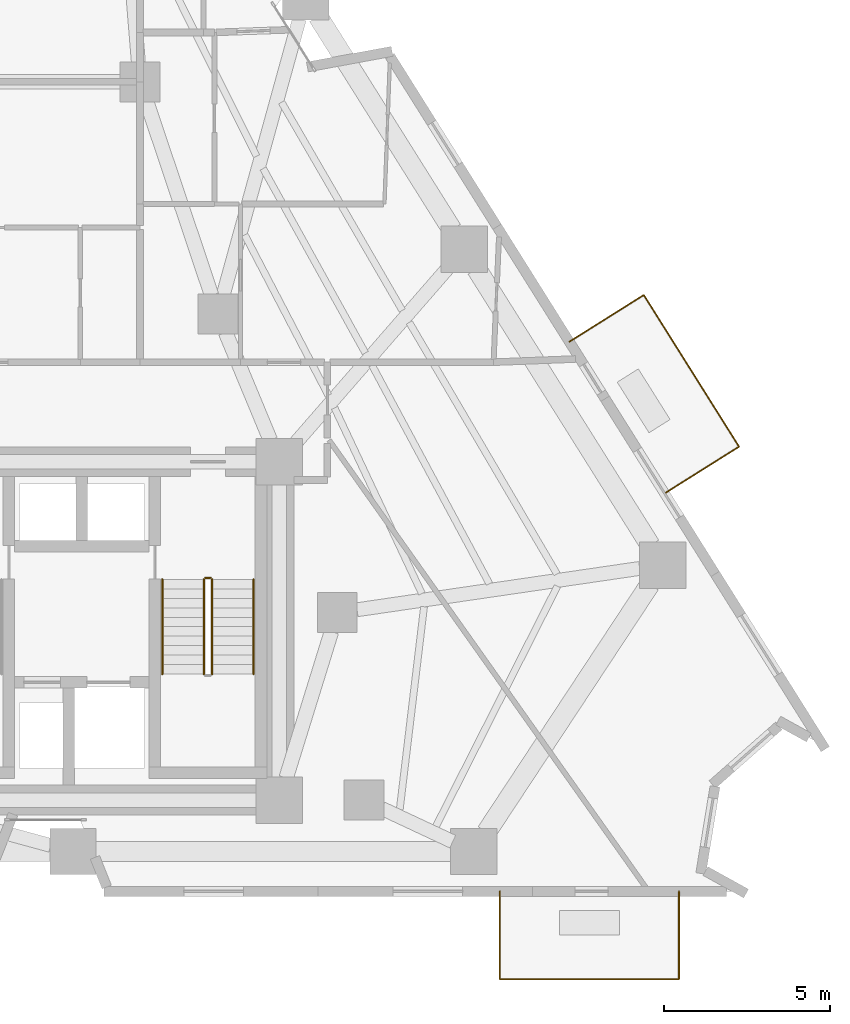
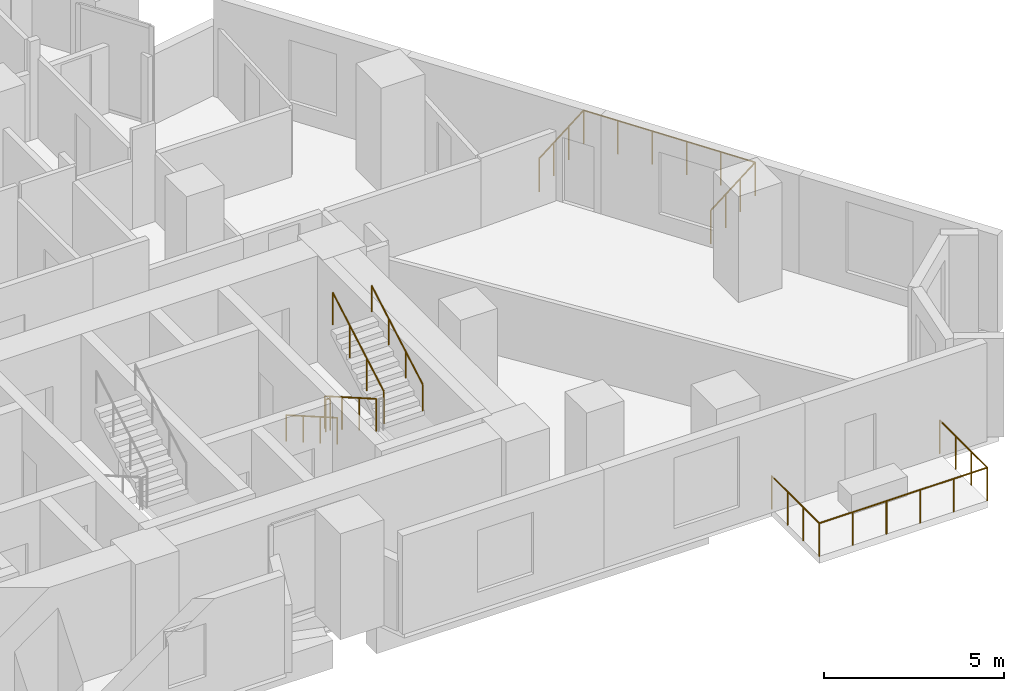
# One storey, part 12 of 13: 7 railings.
"""IFC4 building model written with IfcOpenShell, lengths in metres."""

import ifcopenshell
import ifcopenshell.guid

model = None  # the IFC model being written
_history = None  # IfcOwnerHistory: only IFC2X3 demands one
_inside = {}  # id of a spatial element -> (the spatial element, [elements in it])
_under = {}  # id of a project, library or spatial element -> (it, [spatial elements below it])
_declared = {}  # id of a project -> (the project, [libraries it declares])
_typed = {}  # id of a type object -> (the type object, [elements of that type])
_made_of = {}  # id of a material, layer set ... -> (it, [elements and type objects made of it])


def new_model(schema):
    """Start an empty IFC model of exactly this schema.

    Asked for "IFC4X3", IfcOpenShell would pick the latest addendum, in which some entities
    have other attributes; the version numbers below select the first issue.
    IFC2X3 requires an IfcOwnerHistory on every rooted entity: one is made here for all.
    """
    global model, _history
    if schema == "IFC4X3":
        model = ifcopenshell.file(schema_version=(4, 3, 0, 0))
    else:
        model = ifcopenshell.file(schema=schema)
    _inside.clear()
    _under.clear()
    _declared.clear()
    _typed.clear()
    _made_of.clear()
    _history = None
    if model.schema == "IFC2X3":
        org = make("IfcOrganization", Name="unknown")
        user = make(
            "IfcPersonAndOrganization",
            ThePerson=make("IfcPerson", FamilyName="unknown"),
            TheOrganization=org,
        )
        app = make(
            "IfcApplication",
            ApplicationDeveloper=org,
            Version="unknown",
            ApplicationFullName="unknown",
            ApplicationIdentifier="unknown",
        )
        _history = make(
            "IfcOwnerHistory",
            OwningUser=user,
            OwningApplication=app,
            ChangeAction="ADDED",
            CreationDate=0,
        )
    return model


def make(cls, **values):
    """One entity of the class cls with the attributes given. An attribute that is None is left unset."""
    return model.create_entity(
        cls, **{name: value for name, value in values.items() if value is not None}
    )


def rooted(cls, **values):
    """An entity with a GlobalId (a new one), such as an element, a storey or a relation."""
    return make(cls, GlobalId=ifcopenshell.guid.new(), OwnerHistory=_history, **values)


def si_unit(unit_type, name, prefix=None):
    """IfcSIUnit, for example si_unit("LENGTHUNIT", "METRE", prefix="MILLI")."""
    return make("IfcSIUnit", UnitType=unit_type, Prefix=prefix, Name=name)


def assignment(units):
    """IfcUnitAssignment: the units of a project."""
    return None if units is None else make("IfcUnitAssignment", Units=units)


def point(xyz):
    """IfcCartesianPoint."""
    return None if xyz is None else make("IfcCartesianPoint", Coordinates=xyz)


def direction(xyz):
    """IfcDirection."""
    return None if xyz is None else make("IfcDirection", DirectionRatios=xyz)


def frame(location, z_axis=None, x_axis=None):
    """IfcAxis2Placement3D, a coordinate frame: its origin and axes. An axis left out is left unset."""
    return make(
        "IfcAxis2Placement3D",
        Location=point(location),
        Axis=direction(z_axis),
        RefDirection=direction(x_axis),
    )


def frame_2d(location, x_axis=None):
    """IfcAxis2Placement2D, a coordinate frame in the plane: its origin and x axis."""
    return make(
        "IfcAxis2Placement2D", Location=point(location), RefDirection=direction(x_axis)
    )


def origin():
    """The frame at (0, 0, 0) with its axes left unset."""
    return frame((0.0, 0.0, 0.0))


def origin_2d():
    """The frame at (0, 0) in the plane with its x axis left unset."""
    return frame_2d((0.0, 0.0))


def place(relative_to, where):
    """IfcLocalPlacement: puts the frame where relative to a parent placement (None: the world)."""
    return make(
        "IfcLocalPlacement", PlacementRelTo=relative_to, RelativePlacement=where
    )


def context(
    kind, dimensions, precision=None, world=None, true_north=None, identifier=None
):
    """IfcGeometricRepresentationContext, for example the 3D "Model" context."""
    return make(
        "IfcGeometricRepresentationContext",
        ContextIdentifier=identifier,
        ContextType=kind,
        CoordinateSpaceDimension=dimensions,
        Precision=precision,
        WorldCoordinateSystem=world,
        TrueNorth=true_north,
    )


def subcontext(parent, identifier, kind, view, scale=None):
    """IfcGeometricRepresentationSubContext, for example "Body" below "Model"."""
    return make(
        "IfcGeometricRepresentationSubContext",
        ContextIdentifier=identifier,
        ContextType=kind,
        ParentContext=parent,
        TargetScale=scale,
        TargetView=view,
    )


def project(units=None, contexts=None):
    """IfcProject with its units and contexts."""
    return rooted(
        "IfcProject",
        Name="project",
        RepresentationContexts=contexts,
        UnitsInContext=assignment(units),
    )


def spatial(cls, under=None, at=None, **own):
    """A site, building, storey or space (cls), placed at a placement, below another one or the project."""
    s = rooted(cls, ObjectPlacement=at, **own)
    if under is not None:
        _under.setdefault(under.id(), (under, []))[1].append(s)
    return s


def profile(cls, at=None, kind="AREA", **sizes):
    """A parametric profile (cls). Its sizes go by their IFC names, for example OverallWidth=200.0."""
    return make(cls, ProfileType=kind, Position=at, **sizes)


def circle(**sizes):
    """IfcCircleProfileDef."""
    return profile("IfcCircleProfileDef", **sizes)


def extrude(swept, where, along, depth):
    """IfcExtrudedAreaSolid: the profile swept, set in the frame where, extruded along a direction by depth."""
    return make(
        "IfcExtrudedAreaSolid",
        SweptArea=swept,
        Position=where,
        ExtrudedDirection=direction(along),
        Depth=depth,
    )


def shape(context_of_items, identifier, shape_type, items):
    """IfcShapeRepresentation: the items that make up one representation, for example the "Body"."""
    return make(
        "IfcShapeRepresentation",
        ContextOfItems=context_of_items,
        RepresentationIdentifier=identifier,
        RepresentationType=shape_type,
        Items=items,
    )


def material(Name=None, Category=None):
    """IfcMaterial."""
    return make("IfcMaterial", Name=Name, Category=Category)


def made_of(thing, what):
    """Note that an element or type object is made of a material, layer set ...; save() writes the relation."""
    if what is not None:
        _made_of.setdefault(what.id(), (what, []))[1].append(thing)
    return thing


def type_object(cls, material=None, **own):
    """A type object (cls), such as IfcWallType, which elements share."""
    return made_of(rooted(cls, **own), material)


def element(
    cls,
    number,
    at=None,
    inside=None,
    cuts=None,
    type_object=None,
    material=None,
    context=None,
    identifier="Body",
    shape_type=None,
    held_by="IfcProductDefinitionShape",
    body=None,
    shapes=None,
    **own,
):
    """One element of the class cls, such as IfcWall. Its Tag is "e" and its number.

    at: its placement. inside: the storey or other place that contains it. cuts: it is an
    opening in that element (IfcRelVoidsElement). A single representation is given by context,
    identifier, shape_type and body (its items); several are given by shapes. held_by: the class
    of the entity that holds the representations. save() writes the other relations.
    """
    e = rooted(cls, Tag="e%d" % number, ObjectPlacement=at, **own)
    if body is not None:
        shapes = [shape(context, identifier, shape_type, body)]
    if shapes is not None:
        e.Representation = make(held_by, Representations=shapes)
    if inside is not None:
        _inside.setdefault(inside.id(), (inside, []))[1].append(e)
    if cuts is not None:
        rooted(
            "IfcRelVoidsElement", RelatingBuildingElement=cuts, RelatedOpeningElement=e
        )
    if type_object is not None:
        _typed.setdefault(type_object.id(), (type_object, []))[1].append(e)
    return made_of(e, material)


def aggregate(whole, parts):
    """IfcRelAggregates: a whole, such as a stair, and the parts it consists of."""
    return rooted("IfcRelAggregates", RelatingObject=whole, RelatedObjects=parts)


def save(model, path):
    """Write the relations noted so far, then the file.

    IfcRelAggregates (storeys below a building ...), IfcRelContainedInSpatialStructure (elements
    in a storey), IfcRelDefinesByType, IfcRelAssociatesMaterial and IfcRelDeclares: one each for
    every whole, place, type object, material and project.
    """
    for whole, parts in _under.values():
        aggregate(whole, parts)
    for where, things in _inside.values():
        rooted(
            "IfcRelContainedInSpatialStructure",
            RelatedElements=things,
            RelatingStructure=where,
        )
    for kind, things in _typed.values():
        rooted("IfcRelDefinesByType", RelatedObjects=things, RelatingType=kind)
    for what, things in _made_of.values():
        rooted("IfcRelAssociatesMaterial", RelatedObjects=things, RelatingMaterial=what)
    for by, libraries in _declared.values():
        rooted("IfcRelDeclares", RelatingContext=by, RelatedDefinitions=libraries)
    model.write(path)


model = new_model("IFC4")

# Units and contexts
model_context = context("Model", 3, precision=1e-05, world=origin(), true_north=direction((0.0, 1.0)))
body_context = subcontext(model_context, "Body", "Model", "MODEL_VIEW")
ifc_project = project(units=[si_unit("LENGTHUNIT", "METRE"), si_unit("AREAUNIT", "SQUARE_METRE"), si_unit("VOLUMEUNIT", "CUBIC_METRE"), si_unit("PLANEANGLEUNIT", "RADIAN"), si_unit("MASSUNIT", "GRAM", prefix="KILO")], contexts=[model_context])

# Site, building, storey
site_placement = place(None, origin())
site = spatial("IfcSite", under=ifc_project, at=site_placement, CompositionType="ELEMENT")
building_placement = place(site_placement, origin())
building = spatial("IfcBuilding", under=site, at=building_placement, Name="Almagre Mirador Tower", CompositionType="ELEMENT")
storey_placement = place(building_placement, frame((0.0, 0.0, 57.0)))
storey = spatial("IfcBuildingStorey", under=building, at=storey_placement, Name="L13", CompositionType="ELEMENT", Elevation=57.0)

# Railings
ifc_material_1 = material(Name="Black anodized aluminium", Category="aluminium")
railing_type_1 = type_object("IfcRailingType", Name="RLG-BAL-1150", PredefinedType="BALUSTRADE", material=ifc_material_1)
railing_1_placement = place(storey_placement, frame((53.699951171875, 1.800048828125, 0.0)))
element("IfcRailing", 1, at=railing_1_placement, inside=storey, type_object=railing_type_1, Name="L13 south balcony balustrade 1", PredefinedType="BALUSTRADE", context=body_context, shape_type="SweptSolid", body=[
    extrude(circle(Radius=0.02392578125, at=origin_2d()), frame((0.0, 0.0, 1.1259765625), z_axis=(0.0, -1.0, 0.0), x_axis=(1.0, 0.0, 0.0)), (0.0, 0.0, 1.0), 2.650146484375),
    extrude(circle(Radius=0.02392578125, at=origin_2d()), frame((0.0, -2.650146484375, 1.1259765625), z_axis=(1.0, 0.0, 0.0), x_axis=(0.0, 1.0, 0.0)), (0.0, 0.0, 1.0), 5.400146484375),
    extrude(circle(Radius=0.02392578125, at=origin_2d()), frame((5.400146484375, -2.650146484375, 1.1259765625), z_axis=(0.0, 1.0, 0.0), x_axis=(-1.0, 0.0, 0.0)), (0.0, 0.0, 1.0), 2.650146484375),
    extrude(circle(Radius=0.02099609375, at=origin_2d()), origin(), (0.0, 0.0, 1.0), 1.101806640625),
    extrude(circle(Radius=0.02099609375, at=origin_2d()), frame((0.0, -0.88330078125, 0.0)), (0.0, 0.0, 1.0), 1.101806640625),
    extrude(circle(Radius=0.02099609375, at=origin_2d()), frame((0.0, -1.766845703125, 0.0)), (0.0, 0.0, 1.0), 1.101806640625),
    extrude(circle(Radius=0.02099609375, at=origin_2d()), frame((0.0, -2.650146484375, 0.0)), (0.0, 0.0, 1.0), 1.101806640625),
    extrude(circle(Radius=0.02099609375, at=origin_2d()), frame((1.080078125, -2.650146484375, 0.0)), (0.0, 0.0, 1.0), 1.101806640625),
    extrude(circle(Radius=0.02099609375, at=origin_2d()), frame((2.16015625, -2.650146484375, 0.0)), (0.0, 0.0, 1.0), 1.101806640625),
    extrude(circle(Radius=0.02099609375, at=origin_2d()), frame((3.239990234375, -2.650146484375, 0.0)), (0.0, 0.0, 1.0), 1.101806640625),
    extrude(circle(Radius=0.02099609375, at=origin_2d()), frame((4.320068359375, -2.650146484375, 0.0)), (0.0, 0.0, 1.0), 1.101806640625),
    extrude(circle(Radius=0.02099609375, at=origin_2d()), frame((5.400146484375, -2.650146484375, 0.0)), (0.0, 0.0, 1.0), 1.101806640625),
    extrude(circle(Radius=0.02099609375, at=origin_2d()), frame((5.400146484375, -1.766845703125, 0.0)), (0.0, 0.0, 1.0), 1.101806640625),
    extrude(circle(Radius=0.02099609375, at=origin_2d()), frame((5.400146484375, -0.88330078125, 0.0)), (0.0, 0.0, 1.0), 1.101806640625),
    extrude(circle(Radius=0.02099609375, at=origin_2d()), frame((5.400146484375, 0.0, 0.0)), (0.0, 0.0, 1.0), 1.101806640625),
])
railing_2_placement = place(storey_placement, frame((58.666015625, 13.7939453125, 0.0)))
element("IfcRailing", 2, at=railing_2_placement, inside=storey, type_object=railing_type_1, Name="L13 east balcony balustrade 2", PredefinedType="BALUSTRADE", context=body_context, shape_type="SweptSolid", body=[
    extrude(circle(Radius=0.02392578125, at=origin_2d()), frame((0.0, 0.0, 1.1259765625), z_axis=(0.846893849006, 0.531761984835, 0.0), x_axis=(-0.531761984835, 0.846893849006, 0.0)), (0.0, 0.0, 1.0), 2.649658203125),
    extrude(circle(Radius=0.02392578125, at=origin_2d()), frame((2.243896484375, 1.408935546875, 1.1259765625), z_axis=(-0.531822427287, 0.846855894373, 0.0), x_axis=(-0.846855894373, -0.531822427287, 0.0)), (0.0, 0.0, 1.0), 5.39990234375),
    extrude(circle(Radius=0.02392578125, at=origin_2d()), frame((-0.6279296875, 5.98193359375, 1.1259765625), z_axis=(-0.846753927237, -0.531984761727, 0.0), x_axis=(0.531984761727, -0.846753927237, 0.0)), (0.0, 0.0, 1.0), 2.650390625),
    extrude(circle(Radius=0.02099609375, at=origin_2d()), origin(), (0.0, 0.0, 1.0), 1.101806640625),
    extrude(circle(Radius=0.02099609375, at=origin_2d()), frame((0.748046875, 0.4697265625, 0.0)), (0.0, 0.0, 1.0), 1.101806640625),
    extrude(circle(Radius=0.02099609375, at=origin_2d()), frame((1.495849609375, 0.939208984375, 0.0)), (0.0, 0.0, 1.0), 1.101806640625),
    extrude(circle(Radius=0.02099609375, at=origin_2d()), frame((2.243896484375, 1.408935546875, 0.0)), (0.0, 0.0, 1.0), 1.101806640625),
    extrude(circle(Radius=0.02099609375, at=origin_2d()), frame((1.66943359375, 2.323486328125, 0.0)), (0.0, 0.0, 1.0), 1.101806640625),
    extrude(circle(Radius=0.02099609375, at=origin_2d()), frame((1.09521484375, 3.238037109375, 0.0)), (0.0, 0.0, 1.0), 1.101806640625),
    extrude(circle(Radius=0.02099609375, at=origin_2d()), frame((0.520751953125, 4.15283203125, 0.0)), (0.0, 0.0, 1.0), 1.101806640625),
    extrude(circle(Radius=0.02099609375, at=origin_2d()), frame((-0.053466796875, 5.0673828125, 0.0)), (0.0, 0.0, 1.0), 1.101806640625),
    extrude(circle(Radius=0.02099609375, at=origin_2d()), frame((-0.6279296875, 5.98193359375, 0.0)), (0.0, 0.0, 1.0), 1.101806640625),
    extrude(circle(Radius=0.02099609375, at=origin_2d()), frame((-1.3759765625, 5.511962890625, 0.0)), (0.0, 0.0, 1.0), 1.101806640625),
    extrude(circle(Radius=0.02099609375, at=origin_2d()), frame((-2.1240234375, 5.0419921875, 0.0)), (0.0, 0.0, 1.0), 1.101806640625),
    extrude(circle(Radius=0.02099609375, at=origin_2d()), frame((-2.8720703125, 4.572021484375, 0.0)), (0.0, 0.0, 1.0), 1.101806640625),
])
ifc_material_2 = material(Name="Painted galvanized steel", Category="steel")
railing_type_2 = type_object("IfcRailingType", Name="RLG-GRD-1100", PredefinedType="GUARDRAIL", material=ifc_material_2)
railing_3_placement = place(storey_placement, frame((44.77490234375, 11.199951171875, 0.16357421875)))
element("IfcRailing", 3, at=railing_3_placement, inside=storey, type_object=railing_type_2, Name="L13 ST-3 stair guard 1", PredefinedType="GUARDRAIL", context=body_context, shape_type="SweptSolid", body=[
    extrude(circle(Radius=0.02392578125, at=origin_2d()), frame((0.0, 0.0, 1.09619140625), z_axis=(0.0, -0.867194282975, 0.497969954491), x_axis=(1.0, 0.0, 0.0)), (0.0, 0.0, 1.0), 3.286376953125),
    extrude(circle(Radius=0.02099609375, at=origin_2d()), origin(), (0.0, 0.0, 1.0), 1.072021484375),
    extrude(circle(Radius=0.02099609375, at=origin_2d()), frame((0.0, -0.949951171875, 0.54541015625)), (0.0, 0.0, 1.0), 1.072021484375),
    extrude(circle(Radius=0.02099609375, at=origin_2d()), frame((0.0, -1.89990234375, 1.091064453125)), (0.0, 0.0, 1.0), 1.072021484375),
    extrude(circle(Radius=0.02099609375, at=origin_2d()), frame((0.0, -2.849853515625, 1.636474609375)), (0.0, 0.0, 1.0), 1.072021484375),
])
railing_4_placement = place(storey_placement, frame((45.02490234375, 8.35009765625, 1.963623046875)))
element("IfcRailing", 4, at=railing_4_placement, inside=storey, type_object=railing_type_2, Name="L13 ST-3 stair guard 3", PredefinedType="GUARDRAIL", context=body_context, shape_type="SweptSolid", body=[
    extrude(circle(Radius=0.02392578125, at=origin_2d()), frame((0.0, 0.0, 1.09619140625), z_axis=(0.0, 0.867194282975, 0.497969954491), x_axis=(-1.0, 0.0, 0.0)), (0.0, 0.0, 1.0), 3.286376953125),
    extrude(circle(Radius=0.02099609375, at=origin_2d()), origin(), (0.0, 0.0, 1.0), 1.072021484375),
    extrude(circle(Radius=0.02099609375, at=origin_2d()), frame((0.0, 0.949951171875, 0.54541015625)), (0.0, 0.0, 1.0), 1.072021484375),
    extrude(circle(Radius=0.02099609375, at=origin_2d()), frame((0.0, 1.89990234375, 1.091064453125)), (0.0, 0.0, 1.0), 1.072021484375),
    extrude(circle(Radius=0.02099609375, at=origin_2d()), frame((0.0, 2.849853515625, 1.636474609375)), (0.0, 0.0, 1.0), 1.072021484375),
])
railing_5_placement = place(storey_placement, frame((44.824951171875, 11.25, 0.0)))
element("IfcRailing", 5, at=railing_5_placement, inside=storey, type_object=railing_type_2, Name="L13 ST-3 stair guard 4", PredefinedType="GUARDRAIL", context=body_context, shape_type="SweptSolid", body=[
    extrude(circle(Radius=0.02392578125, at=origin_2d()), frame((0.0, 0.0, 1.09619140625), z_axis=(1.0, 0.0, 0.0), x_axis=(0.0, 1.0, 0.0)), (0.0, 0.0, 1.0), 0.150146484375),
    extrude(circle(Radius=0.02099609375, at=origin_2d()), origin(), (0.0, 0.0, 1.0), 1.072021484375),
    extrude(circle(Radius=0.02099609375, at=origin_2d()), frame((0.150146484375, 0.0, 0.0)), (0.0, 0.0, 1.0), 1.072021484375),
])
ifc_material_3 = material(Name="Brushed stainless steel", Category="steel")
railing_type_3 = type_object("IfcRailingType", Name="RLG-HND-915", PredefinedType="HANDRAIL", material=ifc_material_3)
railing_6_placement = place(storey_placement, frame((43.52490234375, 11.199951171875, 0.16357421875)))
element("IfcRailing", 6, at=railing_6_placement, inside=storey, type_object=railing_type_3, Name="L13 ST-3 stair handrail 1", PredefinedType="HANDRAIL", context=body_context, shape_type="SweptSolid", body=[
    extrude(circle(Radius=0.02392578125, at=origin_2d()), frame((0.0, 0.0, 0.89111328125), z_axis=(0.0, -0.867194282975, 0.497969954491), x_axis=(1.0, 0.0, 0.0)), (0.0, 0.0, 1.0), 3.286376953125),
    extrude(circle(Radius=0.02099609375, at=origin_2d()), origin(), (0.0, 0.0, 1.0), 0.866943359375),
    extrude(circle(Radius=0.02099609375, at=origin_2d()), frame((0.0, -0.949951171875, 0.54541015625)), (0.0, 0.0, 1.0), 0.866943359375),
    extrude(circle(Radius=0.02099609375, at=origin_2d()), frame((0.0, -1.89990234375, 1.091064453125)), (0.0, 0.0, 1.0), 0.866943359375),
    extrude(circle(Radius=0.02099609375, at=origin_2d()), frame((0.0, -2.849853515625, 1.636474609375)), (0.0, 0.0, 1.0), 0.866943359375),
])
railing_7_placement = place(storey_placement, frame((46.27490234375, 8.35009765625, 1.963623046875)))
element("IfcRailing", 7, at=railing_7_placement, inside=storey, type_object=railing_type_3, Name="L13 ST-3 stair handrail 2", PredefinedType="HANDRAIL", context=body_context, shape_type="SweptSolid", body=[
    extrude(circle(Radius=0.02392578125, at=origin_2d()), frame((0.0, 0.0, 0.89111328125), z_axis=(0.0, 0.867194282975, 0.497969954491), x_axis=(-1.0, 0.0, 0.0)), (0.0, 0.0, 1.0), 3.286376953125),
    extrude(circle(Radius=0.02099609375, at=origin_2d()), origin(), (0.0, 0.0, 1.0), 0.866943359375),
    extrude(circle(Radius=0.02099609375, at=origin_2d()), frame((0.0, 0.949951171875, 0.54541015625)), (0.0, 0.0, 1.0), 0.866943359375),
    extrude(circle(Radius=0.02099609375, at=origin_2d()), frame((0.0, 1.89990234375, 1.091064453125)), (0.0, 0.0, 1.0), 0.866943359375),
    extrude(circle(Radius=0.02099609375, at=origin_2d()), frame((0.0, 2.849853515625, 1.636474609375)), (0.0, 0.0, 1.0), 0.866943359375),
])

save(model, "model.ifc")
